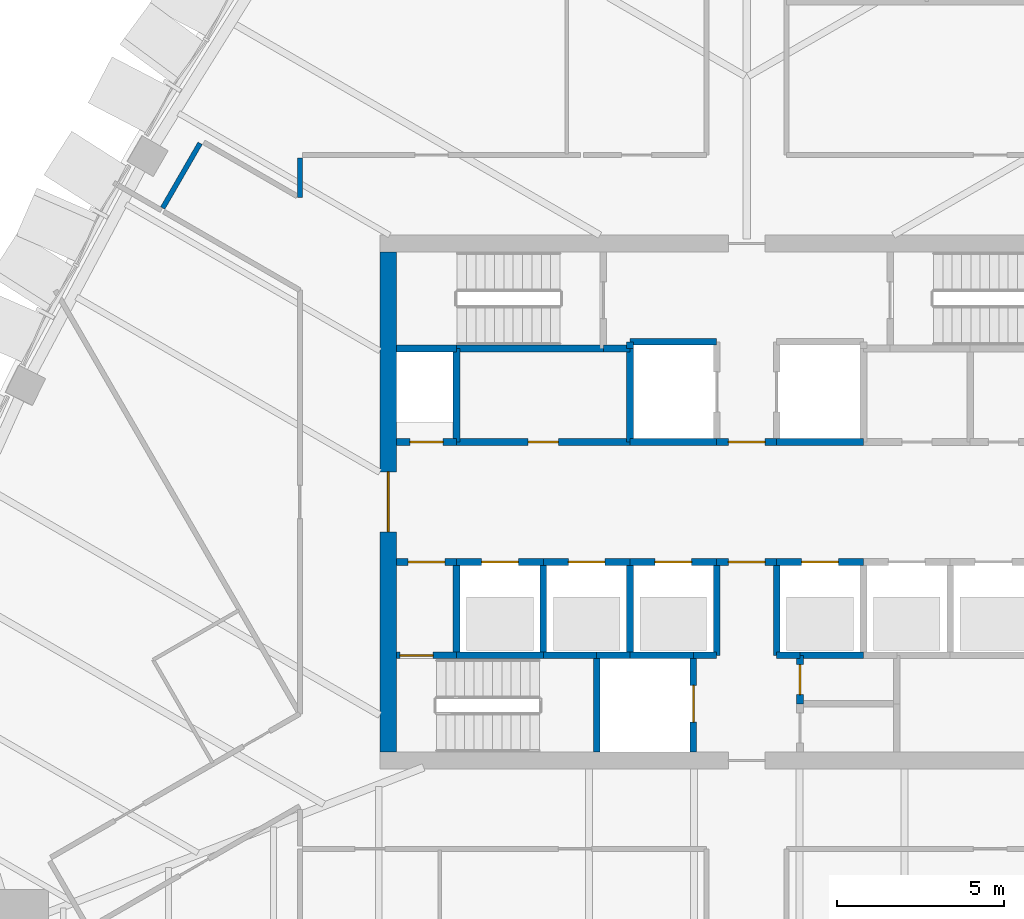
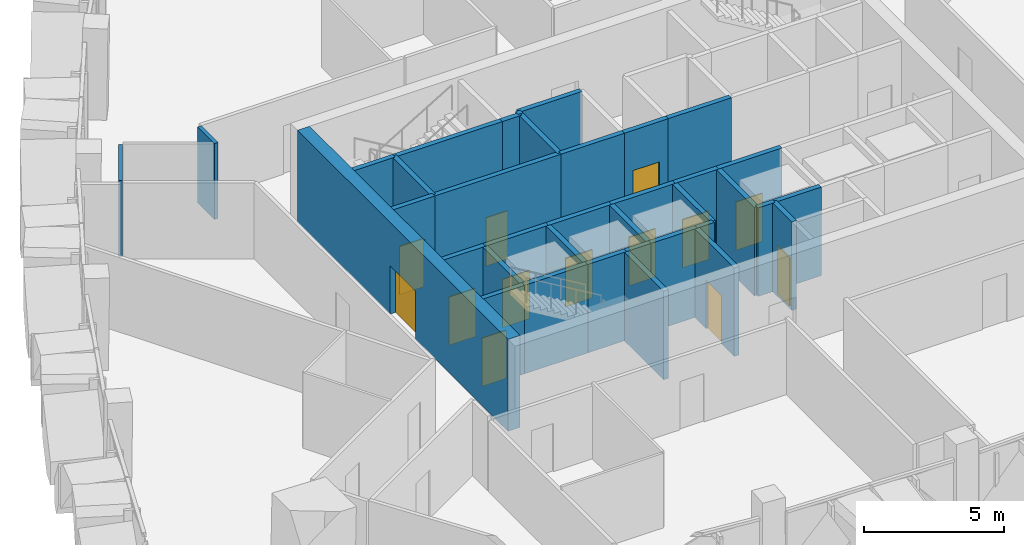
# One storey, part 13 of 20: 37 walls, 13 doors, 13 openings.
"""IFC4 building model written with IfcOpenShell, lengths in metres."""

from ifc_helpers import new_model, si_unit, direction, frame, frame_2d, origin, place, context, subcontext, project, spatial, rectangle, extrude, material, layer, layer_set, type_object, element, fill, save


model = new_model("IFC4")

# Units and contexts
model_context = context("Model", 3, precision=1e-05, world=origin(), true_north=direction((0.0, 1.0)))
body_context = subcontext(model_context, "Body", "Model", "MODEL_VIEW")
ifc_project = project(units=[si_unit("LENGTHUNIT", "METRE"), si_unit("AREAUNIT", "SQUARE_METRE"), si_unit("VOLUMEUNIT", "CUBIC_METRE"), si_unit("PLANEANGLEUNIT", "RADIAN"), si_unit("MASSUNIT", "GRAM", prefix="KILO")], contexts=[model_context])

# Site, building, storey
site_placement = place(None, origin())
site = spatial("IfcSite", under=ifc_project, at=site_placement, CompositionType="ELEMENT")
building_placement = place(site_placement, origin())
building = spatial("IfcBuilding", under=site, at=building_placement, Name="Sierra Prisma Convention Tower", CompositionType="ELEMENT")
storey_placement = place(building_placement, frame((0.0, 0.0, 239.0)))
storey = spatial("IfcBuildingStorey", under=building, at=storey_placement, Name="L53", CompositionType="ELEMENT", Elevation=239.0)

# Wall, opening, door
ifc_material_1 = material(Name="Concrete C30/37", Category="concrete")
ifc_layer_1 = layer(ifc_material_1, 0.199951171875)
ifc_layer_set_1 = layer_set([ifc_layer_1], Name="Core wall RC 200 C30/37")
wall_type_1 = type_object("IfcWallType", Name="Core wall RC 200 C30/37", PredefinedType="SOLIDWALL", material=ifc_layer_set_1)
wall_1_placement = place(storey_placement, frame((-10.5, -4.60009765625, 0.0), z_axis=(0.0, 0.0, 1.0), x_axis=(1.0, 0.0, 0.0)))
wall_1 = element("IfcWall", 1, at=wall_1_placement, inside=storey, type_object=wall_type_1, Name="Core wall L53 1", PredefinedType="SOLIDWALL", context=body_context, shape_type="SweptSolid", body=[
    extrude(rectangle(XDim=1.800048828125, YDim=0.199951171875, at=frame_2d((0.89990234375, 0.0))), origin(), (0.0, 0.0, 1.0), 3.85009765625),
])
opening_1_placement = place(wall_1_placement, frame((0.10009765625, 0.0, 0.0)))
opening_1 = element("IfcOpeningElement", 2, at=opening_1_placement, cuts=wall_1, Name="Opening L53-D015", PredefinedType="OPENING", context=body_context, shape_type="SweptSolid", body=[
    extrude(rectangle(XDim=1.0, YDim=2.10009765625, at=frame_2d((0.5, 1.050048828125))), frame((0.0, 0.10009765625, 0.0), z_axis=(0.0, -1.0, 0.0), x_axis=(1.0, 0.0, 0.0)), (0.0, 0.0, 1.0), 0.199951171875),
])
ifc_material_2 = material(Name="Steel fire door leaf", Category="steel")
door_type_1 = type_object("IfcDoorType", Name="Door 1000x2100 FD90S", OperationType="SINGLE_SWING_LEFT", PredefinedType="DOOR", material=ifc_material_2)
door_1_placement = place(opening_1_placement, origin())
door_1 = element("IfcDoor", 3, at=door_1_placement, inside=storey, type_object=door_type_1, Name="Door L53 31", OperationType="SINGLE_SWING_LEFT", OverallHeight=2.10009765625, OverallWidth=1.0, PredefinedType="DOOR", context=body_context, shape_type="SweptSolid", body=[
    extrude(rectangle(XDim=1.0, YDim=2.10009765625, at=frame_2d((0.5, 1.050048828125))), frame((0.0, 0.02490234375, 0.0), z_axis=(0.0, -1.0, 0.0), x_axis=(1.0, 0.0, 0.0)), (0.0, 0.0, 1.0), 0.050048828125),
])
fill(opening_1, door_1)

wall_2_placement = place(storey_placement, frame((-10.5, -1.800048828125, 0.0), z_axis=(0.0, 0.0, 1.0), x_axis=(1.0, 0.0, 0.0)))
wall_2 = element("IfcWall", 4, at=wall_2_placement, inside=storey, type_object=wall_type_1, Name="Core wall L53 2", PredefinedType="SOLIDWALL", context=body_context, shape_type="SweptSolid", body=[
    extrude(rectangle(XDim=1.800048828125, YDim=0.199951171875, at=frame_2d((0.89990234375, 0.0))), origin(), (0.0, 0.0, 1.0), 3.85009765625),
])
opening_2_placement = place(wall_2_placement, frame((0.35009765625, 0.0, 0.0)))
opening_2 = element("IfcOpeningElement", 5, at=opening_2_placement, cuts=wall_2, Name="Opening L53-D010", PredefinedType="OPENING", context=body_context, shape_type="SweptSolid", body=[
    extrude(rectangle(XDim=1.10009765625, YDim=2.10009765625, at=frame_2d((0.550048828125, 1.050048828125))), frame((0.0, 0.10009765625, 0.0), z_axis=(0.0, -1.0, 0.0), x_axis=(1.0, 0.0, 0.0)), (0.0, 0.0, 1.0), 0.199951171875),
])
ifc_material_3 = material(Name="Steel fire door leaf", Category="steel")
door_type_2 = type_object("IfcDoorType", Name="Door 1100x2100 FD90S", OperationType="SINGLE_SWING_LEFT", PredefinedType="DOOR", material=ifc_material_3)
door_2_placement = place(opening_2_placement, origin())
door_2 = element("IfcDoor", 6, at=door_2_placement, inside=storey, type_object=door_type_2, Name="Door L53 26", OperationType="SINGLE_SWING_RIGHT", OverallHeight=2.10009765625, OverallWidth=1.10009765625, PredefinedType="DOOR", context=body_context, shape_type="SweptSolid", body=[
    extrude(rectangle(XDim=1.10009765625, YDim=2.10009765625, at=frame_2d((0.550048828125, 1.050048828125))), frame((0.0, 0.02490234375, 0.0), z_axis=(0.0, -1.0, 0.0), x_axis=(1.0, 0.0, 0.0)), (0.0, 0.0, 1.0), 0.050048828125),
])
fill(opening_2, door_2)

wall_3_placement = place(storey_placement, frame((-8.699951171875, 1.800048828125, 0.0), z_axis=(0.0, 0.0, 1.0), x_axis=(-1.0, 0.0, 0.0)))
wall_3 = element("IfcWall", 7, at=wall_3_placement, inside=storey, type_object=wall_type_1, Name="Core wall L53 3", PredefinedType="SOLIDWALL", context=body_context, shape_type="SweptSolid", body=[
    extrude(rectangle(XDim=1.800048828125, YDim=0.199951171875, at=frame_2d((0.89990234375, 0.0))), origin(), (0.0, 0.0, 1.0), 3.85009765625),
])
opening_3_placement = place(wall_3_placement, frame((0.39990234375, 0.0, 0.0)))
opening_3 = element("IfcOpeningElement", 8, at=opening_3_placement, cuts=wall_3, Name="Opening L53-D013", PredefinedType="OPENING", context=body_context, shape_type="SweptSolid", body=[
    extrude(rectangle(XDim=1.0, YDim=2.10009765625, at=frame_2d((0.5, 1.050048828125))), frame((0.0, 0.10009765625, 0.0), z_axis=(0.0, -1.0, 0.0), x_axis=(1.0, 0.0, 0.0)), (0.0, 0.0, 1.0), 0.199951171875),
])
ifc_material_4 = material(Name="Steel fire door leaf", Category="steel")
door_type_3 = type_object("IfcDoorType", Name="Door 1000x2100 FD60S", OperationType="SINGLE_SWING_LEFT", PredefinedType="DOOR", material=ifc_material_4)
door_3_placement = place(opening_3_placement, origin())
door_3 = element("IfcDoor", 9, at=door_3_placement, inside=storey, type_object=door_type_3, Name="Door L53 29", OperationType="SINGLE_SWING_LEFT", OverallHeight=2.10009765625, OverallWidth=1.0, PredefinedType="DOOR", context=body_context, shape_type="SweptSolid", body=[
    extrude(rectangle(XDim=1.0, YDim=2.10009765625, at=frame_2d((0.5, 1.050048828125))), frame((0.0, 0.02490234375, 0.0), z_axis=(0.0, -1.0, 0.0), x_axis=(1.0, 0.0, 0.0)), (0.0, 0.0, 1.0), 0.050048828125),
])
fill(opening_3, door_3)

# Walls
wall_4_placement = place(storey_placement, frame((-8.699951171875, 4.60009765625, 0.0), z_axis=(0.0, 0.0, 1.0), x_axis=(-1.0, 0.0, 0.0)))
element("IfcWall", 10, at=wall_4_placement, inside=storey, type_object=wall_type_1, Name="Core wall L53 4", PredefinedType="SOLIDWALL", context=body_context, shape_type="SweptSolid", body=[
    extrude(rectangle(XDim=1.800048828125, YDim=0.199951171875, at=frame_2d((0.89990234375, 0.0))), origin(), (0.0, 0.0, 1.0), 3.85009765625),
])
wall_5_placement = place(storey_placement, frame((-8.699951171875, -4.60009765625, 0.0), z_axis=(0.0, 0.0, 1.0), x_axis=(1.0, 0.0, 0.0)))
element("IfcWall", 11, at=wall_5_placement, inside=storey, type_object=wall_type_1, Name="Core wall L53 5", PredefinedType="SOLIDWALL", context=body_context, shape_type="SweptSolid", body=[
    extrude(rectangle(XDim=2.599853515625, YDim=0.199951171875, at=frame_2d((1.2998046875, 0.0))), origin(), (0.0, 0.0, 1.0), 3.85009765625),
])
wall_6_placement = place(storey_placement, frame((-8.699951171875, -4.60009765625, 0.0), z_axis=(0.0, 0.0, 1.0), x_axis=(0.0, 1.0, 0.0)))
element("IfcWall", 12, at=wall_6_placement, inside=storey, type_object=wall_type_1, Name="Core wall L53 6", PredefinedType="SOLIDWALL", context=body_context, shape_type="SweptSolid", body=[
    extrude(rectangle(XDim=2.800048828125, YDim=0.199951171875, at=frame_2d((1.39990234375, 0.0))), origin(), (0.0, 0.0, 1.0), 3.85009765625),
])

# Wall, opening, door
wall_7_placement = place(storey_placement, frame((-8.699951171875, -1.800048828125, 0.0), z_axis=(0.0, 0.0, 1.0), x_axis=(1.0, 0.0, 0.0)))
wall_7 = element("IfcWall", 13, at=wall_7_placement, inside=storey, type_object=wall_type_1, Name="Core wall L53 7", PredefinedType="SOLIDWALL", context=body_context, shape_type="SweptSolid", body=[
    extrude(rectangle(XDim=2.599853515625, YDim=0.199951171875, at=frame_2d((1.2998046875, 0.0))), origin(), (0.0, 0.0, 1.0), 3.85009765625),
])
opening_4_placement = place(wall_7_placement, frame((0.75, 0.0, 0.0)))
opening_4 = element("IfcOpeningElement", 14, at=opening_4_placement, cuts=wall_7, Name="Opening L53-D001", PredefinedType="OPENING", context=body_context, shape_type="SweptSolid", body=[
    extrude(rectangle(XDim=1.10009765625, YDim=2.10009765625, at=frame_2d((0.550048828125, 1.050048828125))), frame((0.0, 0.10009765625, 0.0), z_axis=(0.0, -1.0, 0.0), x_axis=(1.0, 0.0, 0.0)), (0.0, 0.0, 1.0), 0.199951171875),
])
ifc_material_5 = material(Name="Steel fire door leaf", Category="steel")
door_type_4 = type_object("IfcDoorType", Name="Door 1100x2100 EI 90 sliding lift landing", OperationType="SLIDING_TO_LEFT", PredefinedType="DOOR", material=ifc_material_5)
door_4_placement = place(opening_4_placement, origin())
door_4 = element("IfcDoor", 15, at=door_4_placement, inside=storey, type_object=door_type_4, Name="Door L53 17", OperationType="SLIDING_TO_LEFT", OverallHeight=2.10009765625, OverallWidth=1.10009765625, PredefinedType="DOOR", context=body_context, shape_type="SweptSolid", body=[
    extrude(rectangle(XDim=1.10009765625, YDim=2.10009765625, at=frame_2d((0.550048828125, 1.050048828125))), frame((0.0, 0.02490234375, 0.0), z_axis=(0.0, -1.0, 0.0), x_axis=(1.0, 0.0, 0.0)), (0.0, 0.0, 1.0), 0.050048828125),
])
fill(opening_4, door_4)

wall_8_placement = place(storey_placement, frame((-8.699951171875, 1.800048828125, 0.0), z_axis=(0.0, 0.0, 1.0), x_axis=(1.0, 0.0, 0.0)))
wall_8 = element("IfcWall", 16, at=wall_8_placement, inside=storey, type_object=wall_type_1, Name="Core wall L53 8", PredefinedType="SOLIDWALL", context=body_context, shape_type="SweptSolid", body=[
    extrude(rectangle(XDim=5.199951171875, YDim=0.199951171875, at=frame_2d((2.60009765625, 0.0))), origin(), (0.0, 0.0, 1.0), 3.85009765625),
])
opening_5_placement = place(wall_8_placement, frame((2.14990234375, 0.0, 0.0)))
opening_5 = element("IfcOpeningElement", 17, at=opening_5_placement, cuts=wall_8, Name="Opening L53-D020", PredefinedType="OPENING", context=body_context, shape_type="SweptSolid", body=[
    extrude(rectangle(XDim=0.89990234375, YDim=2.10009765625, at=frame_2d((0.449951171875, 1.050048828125))), frame((0.0, 0.10009765625, 0.0), z_axis=(0.0, -1.0, 0.0), x_axis=(1.0, 0.0, 0.0)), (0.0, 0.0, 1.0), 0.199951171875),
])
ifc_material_6 = material(Name="Steel fire door leaf", Category="steel")
door_type_5 = type_object("IfcDoorType", Name="Door 900x2100 FD30S", OperationType="SINGLE_SWING_LEFT", PredefinedType="DOOR", material=ifc_material_6)
door_5_placement = place(opening_5_placement, origin())
door_5 = element("IfcDoor", 18, at=door_5_placement, inside=storey, type_object=door_type_5, Name="Door L53 36", OperationType="SINGLE_SWING_RIGHT", OverallHeight=2.10009765625, OverallWidth=0.89990234375, PredefinedType="DOOR", context=body_context, shape_type="SweptSolid", body=[
    extrude(rectangle(XDim=0.89990234375, YDim=2.10009765625, at=frame_2d((0.449951171875, 1.050048828125))), frame((0.0, 0.02490234375, 0.0), z_axis=(0.0, -1.0, 0.0), x_axis=(1.0, 0.0, 0.0)), (0.0, 0.0, 1.0), 0.050048828125),
])
fill(opening_5, door_5)

# Walls
wall_9_placement = place(storey_placement, frame((-8.699951171875, 4.60009765625, 0.0), z_axis=(0.0, 0.0, 1.0), x_axis=(0.0, -1.0, 0.0)))
element("IfcWall", 19, at=wall_9_placement, inside=storey, type_object=wall_type_1, Name="Core wall L53 9", PredefinedType="SOLIDWALL", context=body_context, shape_type="SweptSolid", body=[
    extrude(rectangle(XDim=2.800048828125, YDim=0.199951171875, at=frame_2d((1.39990234375, 0.0))), origin(), (0.0, 0.0, 1.0), 3.85009765625),
])
wall_10_placement = place(storey_placement, frame((-4.300048828125, 4.60009765625, 0.0), z_axis=(0.0, 0.0, 1.0), x_axis=(-1.0, 0.0, 0.0)))
element("IfcWall", 20, at=wall_10_placement, inside=storey, type_object=wall_type_1, Name="Core wall L53 10", PredefinedType="SOLIDWALL", context=body_context, shape_type="SweptSolid", body=[
    extrude(rectangle(XDim=4.39990234375, YDim=0.199951171875, at=frame_2d((2.199951171875, 0.0))), origin(), (0.0, 0.0, 1.0), 3.85009765625),
])
wall_11_placement = place(storey_placement, frame((-6.10009765625, -4.60009765625, 0.0), z_axis=(0.0, 0.0, 1.0), x_axis=(1.0, 0.0, 0.0)))
element("IfcWall", 21, at=wall_11_placement, inside=storey, type_object=wall_type_1, Name="Core wall L53 11", PredefinedType="SOLIDWALL", context=body_context, shape_type="SweptSolid", body=[
    extrude(rectangle(XDim=1.60009765625, YDim=0.199951171875, at=frame_2d((0.800048828125, 0.0))), origin(), (0.0, 0.0, 1.0), 3.85009765625),
])
wall_12_placement = place(storey_placement, frame((-6.10009765625, -4.60009765625, 0.0), z_axis=(0.0, 0.0, 1.0), x_axis=(0.0, 1.0, 0.0)))
element("IfcWall", 22, at=wall_12_placement, inside=storey, type_object=wall_type_1, Name="Core wall L53 12", PredefinedType="SOLIDWALL", context=body_context, shape_type="SweptSolid", body=[
    extrude(rectangle(XDim=2.800048828125, YDim=0.199951171875, at=frame_2d((1.39990234375, 0.0))), origin(), (0.0, 0.0, 1.0), 3.85009765625),
])

# Wall, opening, door
wall_13_placement = place(storey_placement, frame((-6.10009765625, -1.800048828125, 0.0), z_axis=(0.0, 0.0, 1.0), x_axis=(1.0, 0.0, 0.0)))
wall_13 = element("IfcWall", 23, at=wall_13_placement, inside=storey, type_object=wall_type_1, Name="Core wall L53 13", PredefinedType="SOLIDWALL", context=body_context, shape_type="SweptSolid", body=[
    extrude(rectangle(XDim=2.60009765625, YDim=0.199951171875, at=frame_2d((1.300048828125, 0.0))), origin(), (0.0, 0.0, 1.0), 3.85009765625),
])
opening_6_placement = place(wall_13_placement, frame((0.75, 0.0, 0.0)))
opening_6 = element("IfcOpeningElement", 24, at=opening_6_placement, cuts=wall_13, Name="Opening L53-D002", PredefinedType="OPENING", context=body_context, shape_type="SweptSolid", body=[
    extrude(rectangle(XDim=1.10009765625, YDim=2.10009765625, at=frame_2d((0.550048828125, 1.050048828125))), frame((0.0, 0.10009765625, 0.0), z_axis=(0.0, -1.0, 0.0), x_axis=(1.0, 0.0, 0.0)), (0.0, 0.0, 1.0), 0.199951171875),
])
door_6_placement = place(opening_6_placement, origin())
door_6 = element("IfcDoor", 25, at=door_6_placement, inside=storey, type_object=door_type_4, Name="Door L53 18", OperationType="SLIDING_TO_LEFT", OverallHeight=2.10009765625, OverallWidth=1.10009765625, PredefinedType="DOOR", context=body_context, shape_type="SweptSolid", body=[
    extrude(rectangle(XDim=1.10009765625, YDim=2.10009765625, at=frame_2d((0.550048828125, 1.050048828125))), frame((0.0, 0.02490234375, 0.0), z_axis=(0.0, -1.0, 0.0), x_axis=(1.0, 0.0, 0.0)), (0.0, 0.0, 1.0), 0.050048828125),
])
fill(opening_6, door_6)

# Walls
wall_14_placement = place(storey_placement, frame((-4.5, -4.60009765625, 0.0), z_axis=(0.0, 0.0, 1.0), x_axis=(0.0, -1.0, 0.0)))
element("IfcWall", 26, at=wall_14_placement, inside=storey, type_object=wall_type_1, Name="Core wall L53 14", PredefinedType="SOLIDWALL", context=body_context, shape_type="SweptSolid", body=[
    extrude(rectangle(XDim=2.89990234375, YDim=0.199951171875, at=frame_2d((1.449951171875, 0.0))), origin(), (0.0, 0.0, 1.0), 3.85009765625),
])
wall_15_placement = place(storey_placement, frame((-4.5, -4.60009765625, 0.0), z_axis=(0.0, 0.0, 1.0), x_axis=(1.0, 0.0, 0.0)))
element("IfcWall", 27, at=wall_15_placement, inside=storey, type_object=wall_type_1, Name="Core wall L53 15", PredefinedType="SOLIDWALL", context=body_context, shape_type="SweptSolid", body=[
    extrude(rectangle(XDim=1.0, YDim=0.199951171875, at=frame_2d((0.5, 0.0))), origin(), (0.0, 0.0, 1.0), 3.85009765625),
])
wall_16_placement = place(storey_placement, frame((-3.5, 4.60009765625, 0.0), z_axis=(0.0, 0.0, 1.0), x_axis=(-1.0, 0.0, 0.0)))
element("IfcWall", 28, at=wall_16_placement, inside=storey, type_object=wall_type_1, Name="Core wall L53 16", PredefinedType="SOLIDWALL", context=body_context, shape_type="SweptSolid", body=[
    extrude(rectangle(XDim=0.800048828125, YDim=0.199951171875, at=frame_2d((0.39990234375, 0.0))), origin(), (0.0, 0.0, 1.0), 3.85009765625),
])
wall_17_placement = place(storey_placement, frame((-3.5, -4.60009765625, 0.0), z_axis=(0.0, 0.0, 1.0), x_axis=(1.0, 0.0, 0.0)))
element("IfcWall", 29, at=wall_17_placement, inside=storey, type_object=wall_type_1, Name="Core wall L53 18", PredefinedType="SOLIDWALL", context=body_context, shape_type="SweptSolid", body=[
    extrude(rectangle(XDim=1.89990234375, YDim=0.199951171875, at=frame_2d((0.949951171875, 0.0))), origin(), (0.0, 0.0, 1.0), 3.85009765625),
])
wall_18_placement = place(storey_placement, frame((-3.5, -4.60009765625, 0.0), z_axis=(0.0, 0.0, 1.0), x_axis=(0.0, 1.0, 0.0)))
element("IfcWall", 30, at=wall_18_placement, inside=storey, type_object=wall_type_1, Name="Core wall L53 19", PredefinedType="SOLIDWALL", context=body_context, shape_type="SweptSolid", body=[
    extrude(rectangle(XDim=2.800048828125, YDim=0.199951171875, at=frame_2d((1.39990234375, 0.0))), origin(), (0.0, 0.0, 1.0), 3.85009765625),
])

# Wall, opening, door
wall_19_placement = place(storey_placement, frame((-3.5, -1.800048828125, 0.0), z_axis=(0.0, 0.0, 1.0), x_axis=(1.0, 0.0, 0.0)))
wall_19 = element("IfcWall", 31, at=wall_19_placement, inside=storey, type_object=wall_type_1, Name="Core wall L53 20", PredefinedType="SOLIDWALL", context=body_context, shape_type="SweptSolid", body=[
    extrude(rectangle(XDim=2.60009765625, YDim=0.199951171875, at=frame_2d((1.300048828125, 0.0))), origin(), (0.0, 0.0, 1.0), 3.85009765625),
])
opening_7_placement = place(wall_19_placement, frame((0.75, 0.0, 0.0)))
opening_7 = element("IfcOpeningElement", 32, at=opening_7_placement, cuts=wall_19, Name="Opening L53-D003", PredefinedType="OPENING", context=body_context, shape_type="SweptSolid", body=[
    extrude(rectangle(XDim=1.10009765625, YDim=2.10009765625, at=frame_2d((0.550048828125, 1.050048828125))), frame((0.0, 0.10009765625, 0.0), z_axis=(0.0, -1.0, 0.0), x_axis=(1.0, 0.0, 0.0)), (0.0, 0.0, 1.0), 0.199951171875),
])
door_7_placement = place(opening_7_placement, origin())
door_7 = element("IfcDoor", 33, at=door_7_placement, inside=storey, type_object=door_type_4, Name="Door L53 19", OperationType="SLIDING_TO_RIGHT", OverallHeight=2.10009765625, OverallWidth=1.10009765625, PredefinedType="DOOR", context=body_context, shape_type="SweptSolid", body=[
    extrude(rectangle(XDim=1.10009765625, YDim=2.10009765625, at=frame_2d((0.550048828125, 1.050048828125))), frame((0.0, 0.02490234375, 0.0), z_axis=(0.0, -1.0, 0.0), x_axis=(1.0, 0.0, 0.0)), (0.0, 0.0, 1.0), 0.050048828125),
])
fill(opening_7, door_7)

# Walls
wall_20_placement = place(storey_placement, frame((-0.89990234375, 1.800048828125, 0.0), z_axis=(0.0, 0.0, 1.0), x_axis=(-1.0, 0.0, 0.0)))
element("IfcWall", 34, at=wall_20_placement, inside=storey, type_object=wall_type_1, Name="Core wall L53 21", PredefinedType="SOLIDWALL", context=body_context, shape_type="SweptSolid", body=[
    extrude(rectangle(XDim=2.60009765625, YDim=0.199951171875, at=frame_2d((1.300048828125, 0.0))), origin(), (0.0, 0.0, 1.0), 3.85009765625),
])
wall_21_placement = place(storey_placement, frame((-3.5, 1.800048828125, 0.0), z_axis=(0.0, 0.0, 1.0), x_axis=(0.0, 1.0, 0.0)))
element("IfcWall", 35, at=wall_21_placement, inside=storey, type_object=wall_type_1, Name="Core wall L53 22", PredefinedType="SOLIDWALL", context=body_context, shape_type="SweptSolid", body=[
    extrude(rectangle(XDim=2.800048828125, YDim=0.199951171875, at=frame_2d((1.39990234375, 0.0))), origin(), (0.0, 0.0, 1.0), 3.85009765625),
])
wall_22_placement = place(storey_placement, frame((-0.89990234375, 4.800048828125, 0.0), z_axis=(0.0, 0.0, 1.0), x_axis=(-1.0, 0.0, 0.0)))
element("IfcWall", 36, at=wall_22_placement, inside=storey, type_object=wall_type_1, Name="Core wall L53 24", PredefinedType="SOLIDWALL", context=body_context, shape_type="SweptSolid", body=[
    extrude(rectangle(XDim=2.60009765625, YDim=0.199951171875, at=frame_2d((1.300048828125, 0.0))), origin(), (0.0, 0.0, 1.0), 3.85009765625),
])
wall_23_placement = place(storey_placement, frame((-3.5, 4.800048828125, 0.0), z_axis=(0.0, 0.0, 1.0), x_axis=(0.0, -1.0, 0.0)))
element("IfcWall", 37, at=wall_23_placement, inside=storey, type_object=wall_type_1, Name="Core wall L53 25", PredefinedType="SOLIDWALL", context=body_context, shape_type="SweptSolid", body=[
    extrude(rectangle(XDim=0.199951171875, YDim=0.199951171875, at=frame_2d((0.10009765625, 0.0))), origin(), (0.0, 0.0, 1.0), 3.85009765625),
])

# Wall, opening, door
wall_24_placement = place(storey_placement, frame((-1.60009765625, -7.5, 0.0), z_axis=(0.0, 0.0, 1.0), x_axis=(0.0, 1.0, 0.0)))
wall_24 = element("IfcWall", 38, at=wall_24_placement, inside=storey, type_object=wall_type_1, Name="Core wall L53 26", PredefinedType="SOLIDWALL", context=body_context, shape_type="SweptSolid", body=[
    extrude(rectangle(XDim=2.89990234375, YDim=0.199951171875, at=frame_2d((1.449951171875, 0.0))), origin(), (0.0, 0.0, 1.0), 3.85009765625),
])
opening_8_placement = place(wall_24_placement, frame((0.89990234375, 0.0, 0.0)))
opening_8 = element("IfcOpeningElement", 39, at=opening_8_placement, cuts=wall_24, Name="Opening L53-D009", PredefinedType="OPENING", context=body_context, shape_type="SweptSolid", body=[
    extrude(rectangle(XDim=1.10009765625, YDim=2.10009765625, at=frame_2d((0.550048828125, 1.050048828125))), frame((0.0, 0.10009765625, 0.0), z_axis=(0.0, -1.0, 0.0), x_axis=(1.0, 0.0, 0.0)), (0.0, 0.0, 1.0), 0.199951171875),
])
door_8_placement = place(opening_8_placement, origin())
door_8 = element("IfcDoor", 40, at=door_8_placement, inside=storey, type_object=door_type_4, Name="Door L53 25", OperationType="SLIDING_TO_RIGHT", OverallHeight=2.10009765625, OverallWidth=1.10009765625, PredefinedType="DOOR", context=body_context, shape_type="SweptSolid", body=[
    extrude(rectangle(XDim=1.10009765625, YDim=2.10009765625, at=frame_2d((0.550048828125, 1.050048828125))), frame((0.0, 0.02490234375, 0.0), z_axis=(0.0, -1.0, 0.0), x_axis=(1.0, 0.0, 0.0)), (0.0, 0.0, 1.0), 0.050048828125),
])
fill(opening_8, door_8)

# Walls
wall_25_placement = place(storey_placement, frame((-1.60009765625, -4.60009765625, 0.0), z_axis=(0.0, 0.0, 1.0), x_axis=(1.0, 0.0, 0.0)))
element("IfcWall", 41, at=wall_25_placement, inside=storey, type_object=wall_type_1, Name="Core wall L53 27", PredefinedType="SOLIDWALL", context=body_context, shape_type="SweptSolid", body=[
    extrude(rectangle(XDim=0.7001953125, YDim=0.199951171875, at=frame_2d((0.35009765625, 0.0))), origin(), (0.0, 0.0, 1.0), 3.85009765625),
])
wall_26_placement = place(storey_placement, frame((-0.89990234375, -4.60009765625, 0.0), z_axis=(0.0, 0.0, 1.0), x_axis=(0.0, 1.0, 0.0)))
element("IfcWall", 42, at=wall_26_placement, inside=storey, type_object=wall_type_1, Name="Core wall L53 28", PredefinedType="SOLIDWALL", context=body_context, shape_type="SweptSolid", body=[
    extrude(rectangle(XDim=2.800048828125, YDim=0.199951171875, at=frame_2d((1.39990234375, 0.0))), origin(), (0.0, 0.0, 1.0), 3.85009765625),
])

# Wall, opening, door
wall_27_placement = place(storey_placement, frame((-0.89990234375, -1.800048828125, 0.0), z_axis=(0.0, 0.0, 1.0), x_axis=(1.0, 0.0, 0.0)))
wall_27 = element("IfcWall", 43, at=wall_27_placement, inside=storey, type_object=wall_type_1, Name="Core wall L53 29", PredefinedType="SOLIDWALL", context=body_context, shape_type="SweptSolid", body=[
    extrude(rectangle(XDim=1.7998046875, YDim=0.199951171875, at=frame_2d((0.89990234375, 0.0))), origin(), (0.0, 0.0, 1.0), 3.85009765625),
])
opening_9_placement = place(wall_27_placement, frame((0.35009765625, 0.0, 0.0)))
opening_9 = element("IfcOpeningElement", 44, at=opening_9_placement, cuts=wall_27, Name="Opening L53-D012", PredefinedType="OPENING", context=body_context, shape_type="SweptSolid", body=[
    extrude(rectangle(XDim=1.10009765625, YDim=2.10009765625, at=frame_2d((0.550048828125, 1.050048828125))), frame((0.0, 0.10009765625, 0.0), z_axis=(0.0, -1.0, 0.0), x_axis=(1.0, 0.0, 0.0)), (0.0, 0.0, 1.0), 0.199951171875),
])
ifc_material_7 = material(Name="Steel fire door leaf", Category="steel")
door_type_6 = type_object("IfcDoorType", Name="Door 1100x2100 FD30S", OperationType="SINGLE_SWING_LEFT", PredefinedType="DOOR", material=ifc_material_7)
door_9_placement = place(opening_9_placement, origin())
door_9 = element("IfcDoor", 45, at=door_9_placement, inside=storey, type_object=door_type_6, Name="Door L53 28", OperationType="SINGLE_SWING_LEFT", OverallHeight=2.10009765625, OverallWidth=1.10009765625, PredefinedType="DOOR", context=body_context, shape_type="SweptSolid", body=[
    extrude(rectangle(XDim=1.10009765625, YDim=2.10009765625, at=frame_2d((0.550048828125, 1.050048828125))), frame((0.0, 0.02490234375, 0.0), z_axis=(0.0, -1.0, 0.0), x_axis=(1.0, 0.0, 0.0)), (0.0, 0.0, 1.0), 0.050048828125),
])
fill(opening_9, door_9)

wall_28_placement = place(storey_placement, frame((0.89990234375, 1.800048828125, 0.0), z_axis=(0.0, 0.0, 1.0), x_axis=(-1.0, 0.0, 0.0)))
wall_28 = element("IfcWall", 46, at=wall_28_placement, inside=storey, type_object=wall_type_1, Name="Core wall L53 30", PredefinedType="SOLIDWALL", context=body_context, shape_type="SweptSolid", body=[
    extrude(rectangle(XDim=1.7998046875, YDim=0.199951171875, at=frame_2d((0.89990234375, 0.0))), origin(), (0.0, 0.0, 1.0), 3.85009765625),
])
opening_10_placement = place(wall_28_placement, frame((0.35009765625, 0.0, 0.0)))
opening_10 = element("IfcOpeningElement", 47, at=opening_10_placement, cuts=wall_28, Name="Opening L53-D011", PredefinedType="OPENING", context=body_context, shape_type="SweptSolid", body=[
    extrude(rectangle(XDim=1.10009765625, YDim=2.10009765625, at=frame_2d((0.550048828125, 1.050048828125))), frame((0.0, 0.10009765625, 0.0), z_axis=(0.0, -1.0, 0.0), x_axis=(1.0, 0.0, 0.0)), (0.0, 0.0, 1.0), 0.199951171875),
])
ifc_material_8 = material(Name="Steel fire door leaf", Category="steel")
door_type_7 = type_object("IfcDoorType", Name="Door 1100x2100 FD60S", OperationType="SINGLE_SWING_LEFT", PredefinedType="DOOR", material=ifc_material_8)
door_10_placement = place(opening_10_placement, origin())
door_10 = element("IfcDoor", 48, at=door_10_placement, inside=storey, type_object=door_type_7, Name="Door L53 27", OperationType="SINGLE_SWING_LEFT", OverallHeight=2.10009765625, OverallWidth=1.10009765625, PredefinedType="DOOR", context=body_context, shape_type="SweptSolid", body=[
    extrude(rectangle(XDim=1.10009765625, YDim=2.10009765625, at=frame_2d((0.550048828125, 1.050048828125))), frame((0.0, 0.02490234375, 0.0), z_axis=(0.0, -1.0, 0.0), x_axis=(1.0, 0.0, 0.0)), (0.0, 0.0, 1.0), 0.050048828125),
])
fill(opening_10, door_10)

wall_29_placement = place(storey_placement, frame((0.89990234375, -1.800048828125, 0.0), z_axis=(0.0, 0.0, 1.0), x_axis=(1.0, 0.0, 0.0)))
wall_29 = element("IfcWall", 49, at=wall_29_placement, inside=storey, type_object=wall_type_1, Name="Core wall L53 31", PredefinedType="SOLIDWALL", context=body_context, shape_type="SweptSolid", body=[
    extrude(rectangle(XDim=2.60009765625, YDim=0.199951171875, at=frame_2d((1.300048828125, 0.0))), origin(), (0.0, 0.0, 1.0), 3.85009765625),
])
opening_11_placement = place(wall_29_placement, frame((0.75, 0.0, 0.0)))
opening_11 = element("IfcOpeningElement", 50, at=opening_11_placement, cuts=wall_29, Name="Opening L53-D004", PredefinedType="OPENING", context=body_context, shape_type="SweptSolid", body=[
    extrude(rectangle(XDim=1.10009765625, YDim=2.10009765625, at=frame_2d((0.550048828125, 1.050048828125))), frame((0.0, 0.10009765625, 0.0), z_axis=(0.0, -1.0, 0.0), x_axis=(1.0, 0.0, 0.0)), (0.0, 0.0, 1.0), 0.199951171875),
])
door_11_placement = place(opening_11_placement, origin())
door_11 = element("IfcDoor", 51, at=door_11_placement, inside=storey, type_object=door_type_4, Name="Door L53 20", OperationType="SLIDING_TO_LEFT", OverallHeight=2.10009765625, OverallWidth=1.10009765625, PredefinedType="DOOR", context=body_context, shape_type="SweptSolid", body=[
    extrude(rectangle(XDim=1.10009765625, YDim=2.10009765625, at=frame_2d((0.550048828125, 1.050048828125))), frame((0.0, 0.02490234375, 0.0), z_axis=(0.0, -1.0, 0.0), x_axis=(1.0, 0.0, 0.0)), (0.0, 0.0, 1.0), 0.050048828125),
])
fill(opening_11, door_11)

# Walls
wall_30_placement = place(storey_placement, frame((0.89990234375, -1.800048828125, 0.0), z_axis=(0.0, 0.0, 1.0), x_axis=(0.0, -1.0, 0.0)))
element("IfcWall", 52, at=wall_30_placement, inside=storey, type_object=wall_type_1, Name="Core wall L53 32", PredefinedType="SOLIDWALL", context=body_context, shape_type="SweptSolid", body=[
    extrude(rectangle(XDim=2.800048828125, YDim=0.199951171875, at=frame_2d((1.39990234375, 0.0))), origin(), (0.0, 0.0, 1.0), 3.85009765625),
])
wall_31_placement = place(storey_placement, frame((0.89990234375, -4.60009765625, 0.0), z_axis=(0.0, 0.0, 1.0), x_axis=(1.0, 0.0, 0.0)))
element("IfcWall", 53, at=wall_31_placement, inside=storey, type_object=wall_type_1, Name="Core wall L53 33", PredefinedType="SOLIDWALL", context=body_context, shape_type="SweptSolid", body=[
    extrude(rectangle(XDim=0.7001953125, YDim=0.199951171875, at=frame_2d((0.35009765625, 0.0))), origin(), (0.0, 0.0, 1.0), 3.85009765625),
])
wall_32_placement = place(storey_placement, frame((3.5, 1.800048828125, 0.0), z_axis=(0.0, 0.0, 1.0), x_axis=(-1.0, 0.0, 0.0)))
element("IfcWall", 54, at=wall_32_placement, inside=storey, type_object=wall_type_1, Name="Core wall L53 34", PredefinedType="SOLIDWALL", context=body_context, shape_type="SweptSolid", body=[
    extrude(rectangle(XDim=2.60009765625, YDim=0.199951171875, at=frame_2d((1.300048828125, 0.0))), origin(), (0.0, 0.0, 1.0), 3.85009765625),
])

# Wall, opening, door
wall_33_placement = place(storey_placement, frame((1.60009765625, -4.60009765625, 0.0), z_axis=(0.0, 0.0, 1.0), x_axis=(0.0, -1.0, 0.0)))
wall_33 = element("IfcWall", 55, at=wall_33_placement, inside=storey, type_object=wall_type_1, Name="Core wall L53 40", PredefinedType="SOLIDWALL", context=body_context, shape_type="SweptSolid", body=[
    extrude(rectangle(XDim=1.449951171875, YDim=0.199951171875, at=frame_2d((0.72509765625, 0.0))), origin(), (0.0, 0.0, 1.0), 3.85009765625),
])
opening_12_placement = place(wall_33_placement, frame((0.27490234375, 0.0, 0.0)))
opening_12 = element("IfcOpeningElement", 56, at=opening_12_placement, cuts=wall_33, Name="Opening L53-D024", PredefinedType="OPENING", context=body_context, shape_type="SweptSolid", body=[
    extrude(rectangle(XDim=0.89990234375, YDim=2.10009765625, at=frame_2d((0.449951171875, 1.050048828125))), frame((0.0, 0.10009765625, 0.0), z_axis=(0.0, -1.0, 0.0), x_axis=(1.0, 0.0, 0.0)), (0.0, 0.0, 1.0), 0.199951171875),
])
door_12_placement = place(opening_12_placement, origin())
door_12 = element("IfcDoor", 57, at=door_12_placement, inside=storey, type_object=door_type_5, Name="Door L53 40", OperationType="SINGLE_SWING_LEFT", OverallHeight=2.10009765625, OverallWidth=0.89990234375, PredefinedType="DOOR", context=body_context, shape_type="SweptSolid", body=[
    extrude(rectangle(XDim=0.89990234375, YDim=2.10009765625, at=frame_2d((0.449951171875, 1.050048828125))), frame((0.0, 0.02490234375, 0.0), z_axis=(0.0, -1.0, 0.0), x_axis=(1.0, 0.0, 0.0)), (0.0, 0.0, 1.0), 0.050048828125),
])
fill(opening_12, door_12)

# Wall
wall_34_placement = place(storey_placement, frame((3.5, -4.60009765625, 0.0), z_axis=(0.0, 0.0, 1.0), x_axis=(-1.0, 0.0, 0.0)))
element("IfcWall", 58, at=wall_34_placement, inside=storey, type_object=wall_type_1, Name="Core wall L53 41", PredefinedType="SOLIDWALL", context=body_context, shape_type="SweptSolid", body=[
    extrude(rectangle(XDim=1.89990234375, YDim=0.199951171875, at=frame_2d((0.949951171875, 0.0))), origin(), (0.0, 0.0, 1.0), 3.85009765625),
])

# Wall, opening, door
ifc_material_9 = material(Name="Concrete C50/60", Category="concrete")
ifc_layer_2 = layer(ifc_material_9, 0.5)
ifc_layer_set_2 = layer_set([ifc_layer_2], Name="Core wall RC 500 C50/60")
wall_type_2 = type_object("IfcWallType", Name="Core wall RC 500 C50/60", PredefinedType="SHEAR", material=ifc_layer_set_2)
wall_35_placement = place(storey_placement, frame((-10.75, -7.5, 0.0), z_axis=(0.0, 0.0, 1.0), x_axis=(0.0, 1.0, 0.0)))
wall_35 = element("IfcWall", 59, at=wall_35_placement, inside=storey, type_object=wall_type_2, Name="Core wall W L53", PredefinedType="SHEAR", context=body_context, shape_type="SweptSolid", body=[
    extrude(rectangle(XDim=15.0, YDim=0.5, at=frame_2d((7.5, 0.0))), origin(), (0.0, 0.0, 1.0), 4.0),
])
opening_13_placement = place(wall_35_placement, frame((6.60009765625, 0.0, 0.0)))
opening_13 = element("IfcOpeningElement", 60, at=opening_13_placement, cuts=wall_35, Name="Opening L53-D044", PredefinedType="OPENING", context=body_context, shape_type="SweptSolid", body=[
    extrude(rectangle(XDim=1.800048828125, YDim=2.10009765625, at=frame_2d((0.89990234375, 1.050048828125))), frame((0.0, 0.25, 0.0), z_axis=(0.0, -1.0, 0.0), x_axis=(1.0, 0.0, 0.0)), (0.0, 0.0, 1.0), 0.5),
])
ifc_material_10 = material(Name="Steel fire door leaf", Category="steel")
door_type_8 = type_object("IfcDoorType", Name="Door 1800x2100 FD60S", OperationType="DOUBLE_DOOR_SINGLE_SWING", PredefinedType="DOOR", material=ifc_material_10)
door_13_placement = place(opening_13_placement, origin())
door_13 = element("IfcDoor", 61, at=door_13_placement, inside=storey, type_object=door_type_8, Name="Door L53 41", OperationType="DOUBLE_DOOR_SINGLE_SWING", OverallHeight=2.10009765625, OverallWidth=1.800048828125, PredefinedType="DOOR", context=body_context, shape_type="SweptSolid", body=[
    extrude(rectangle(XDim=1.800048828125, YDim=2.10009765625, at=frame_2d((0.89990234375, 1.050048828125))), frame((0.0, 0.02490234375, 0.0), z_axis=(0.0, -1.0, 0.0), x_axis=(1.0, 0.0, 0.0)), (0.0, 0.0, 1.0), 0.050048828125),
])
fill(opening_13, door_13)

# Walls
ifc_material_11 = material(Name="Gypsum board partition", Category="gypsum")
ifc_layer_3 = layer(ifc_material_11, 0.14990234375)
ifc_layer_set_3 = layer_set([ifc_layer_3], Name="Corridor wall 150 gypsum EI 60")
wall_type_3 = type_object("IfcWallType", Name="Corridor wall 150 gypsum EI 60", PredefinedType="PARTITIONING", material=ifc_layer_set_3)
wall_36_placement = place(storey_placement, frame((-16.389404296875, 10.755615234375, 0.0), z_axis=(0.0, 0.0, 1.0), x_axis=(-0.500077830873, -0.865980463445, 0.0)))
element("IfcWall", 62, at=wall_36_placement, inside=storey, type_object=wall_type_3, Name="Partition L53 corr 5", PredefinedType="PARTITIONING", context=body_context, shape_type="SweptSolid", body=[
    extrude(rectangle(XDim=2.239990234375, YDim=0.14990234375, at=frame_2d((1.1201171875, 0.0))), origin(), (0.0, 0.0, 1.0), 3.300048828125),
])
wall_37_placement = place(storey_placement, frame((-13.39990234375, 10.320068359375, 0.0), z_axis=(0.0, 0.0, 1.0), x_axis=(0.0, -1.0, 0.0)))
element("IfcWall", 63, at=wall_37_placement, inside=storey, type_object=wall_type_3, Name="Partition L53 corr 8", PredefinedType="PARTITIONING", context=body_context, shape_type="SweptSolid", body=[
    extrude(rectangle(XDim=1.197998046875, YDim=0.14990234375, at=frame_2d((0.59912109375, 0.0))), origin(), (0.0, 0.0, 1.0), 3.300048828125),
])

save(model, "model.ifc")
